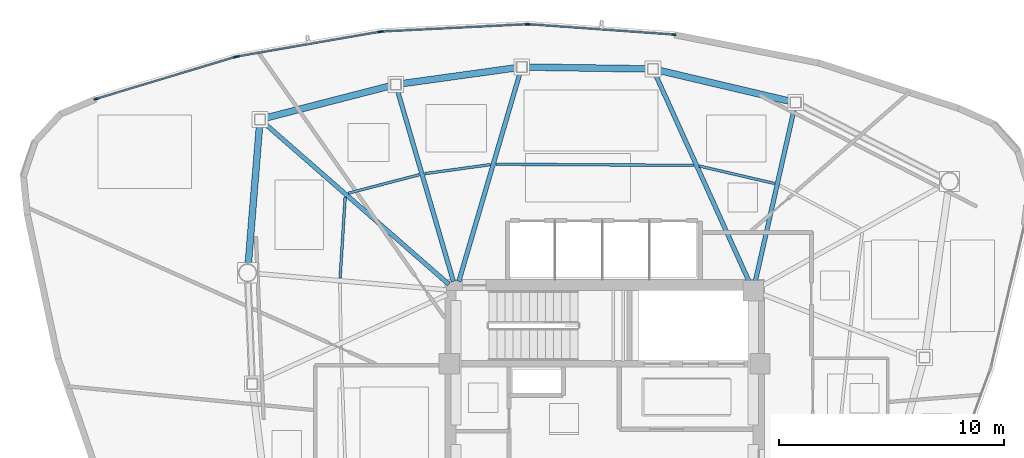
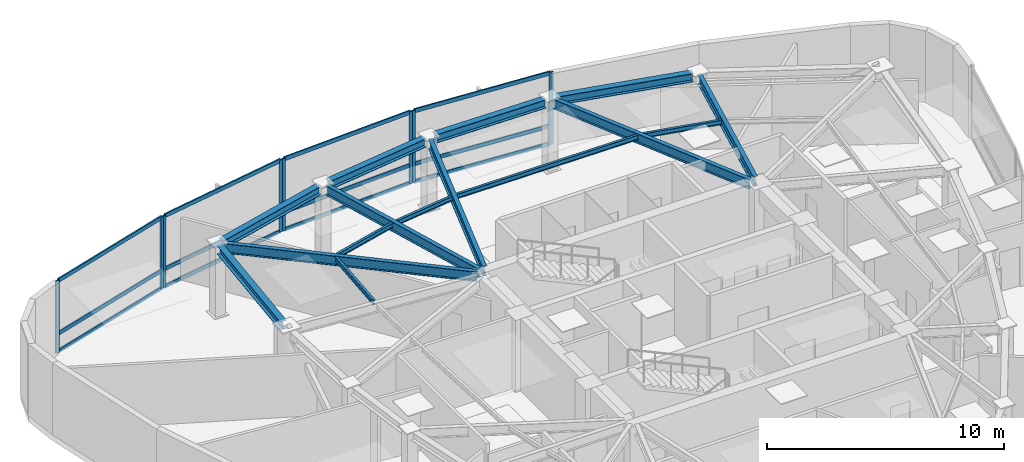
# One storey, part 5 of 12: 20 members, 15 beams, 4 elements without a shape of their own.
"""IFC4 building model written with IfcOpenShell, lengths in metres."""

from ifc_helpers import new_model, si_unit, direction, frame, origin, origin_2d, place, context, subcontext, project, spatial, hollow_rectangle, i_section, extrude, source, transform, mapped, material, layer, layer_set, material_profile, profile_set, type_object, type_shapes, element, aggregate, save


model = new_model("IFC4")

# Units and contexts
model_context = context("Model", 3, precision=1e-05, world=origin(), true_north=direction((0.0, 1.0)))
body_context = subcontext(model_context, "Body", "Model", "MODEL_VIEW")
ifc_project = project(units=[si_unit("LENGTHUNIT", "METRE"), si_unit("AREAUNIT", "SQUARE_METRE"), si_unit("VOLUMEUNIT", "CUBIC_METRE"), si_unit("PLANEANGLEUNIT", "RADIAN"), si_unit("MASSUNIT", "GRAM", prefix="KILO")], contexts=[model_context])

# Site, building, storey
site_placement = place(None, origin())
site = spatial("IfcSite", under=ifc_project, at=site_placement, CompositionType="ELEMENT")
building_placement = place(site_placement, origin())
building = spatial("IfcBuilding", under=site, at=building_placement, Name="Tavelor Broadcast Tower", CompositionType="ELEMENT")
storey_placement = place(building_placement, frame((0.0, 0.0, 293.5)))
storey = spatial("IfcBuildingStorey", under=building, at=storey_placement, Name="L70", CompositionType="ELEMENT", Elevation=293.5)

# Beams
ifc_material_1 = material(Name="Steel S355", Category="steel")
ifc_material_profile_1 = material_profile(ifc_material_1, i_section(OverallWidth=0.1201171875, OverallDepth=0.239990234375, WebThickness=0.006103515625, FlangeThickness=0.009765625, at=origin_2d()), Name="IPE 240")
ifc_profile_set_1 = profile_set([ifc_material_profile_1], Name="Steel S355")
beam_type_1 = type_object("IfcBeamType", Name="Composite Floor Joist T7 IPE 240", PredefinedType="JOIST", material=ifc_profile_set_1)
beam_1_placement = place(storey_placement, frame((57.54248046875, 55.96337890625, 3.580078125), z_axis=(-0.974044982297, 0.226354528257, 0.0), x_axis=(-0.226354528257, -0.974044982297, 0.0)))
element("IfcBeam", 1, at=beam_1_placement, inside=storey, type_object=beam_type_1, Name="L70 Secondary Composite Floor Joist 14", PredefinedType="JOIST", context=body_context, shape_type="SweptSolid", body=[
    extrude(i_section(OverallWidth=0.1201171875, OverallDepth=0.239990234375, WebThickness=0.006103515625, FlangeThickness=0.009765625, at=origin_2d()), origin(), (0.0, 0.0, 1.0), 3.42236328125),
])
beam_2_placement = place(storey_placement, frame((53.954345703125, 56.76806640625, 3.580078125), z_axis=(-0.999984057593, 0.005646641549, 0.0), x_axis=(-0.005646641549, -0.999984057593, 0.0)))
element("IfcBeam", 2, at=beam_2_placement, inside=storey, type_object=beam_type_1, Name="L70 Secondary Composite Floor Joist 15", PredefinedType="JOIST", context=body_context, shape_type="SweptSolid", body=[
    extrude(i_section(OverallWidth=0.1201171875, OverallDepth=0.239990234375, WebThickness=0.006103515625, FlangeThickness=0.009765625, at=origin_2d()), origin(), (0.0, 0.0, 1.0), 8.777099609375),
])
beam_3_placement = place(storey_placement, frame((44.920654296875, 56.80078125, 3.580078125), z_axis=(-0.990691592416, -0.136125562317, 0.0), x_axis=(0.136125562317, -0.990691592416, 0.0)))
element("IfcBeam", 3, at=beam_3_placement, inside=storey, type_object=beam_type_1, Name="L70 Secondary Composite Floor Joist 16", PredefinedType="JOIST", context=body_context, shape_type="SweptSolid", body=[
    extrude(i_section(OverallWidth=0.1201171875, OverallDepth=0.239990234375, WebThickness=0.006103515625, FlangeThickness=0.009765625, at=origin_2d()), origin(), (0.0, 0.0, 1.0), 2.937744140625),
])
beam_4_placement = place(storey_placement, frame((41.757568359375, 56.35107421875, 3.580078125), z_axis=(-0.967742888196, -0.251939878435, 0.0), x_axis=(0.251939878435, -0.967742888196, 0.0)))
element("IfcBeam", 4, at=beam_4_placement, inside=storey, type_object=beam_type_1, Name="L70 Secondary Composite Floor Joist 17", PredefinedType="JOIST", context=body_context, shape_type="SweptSolid", body=[
    extrude(i_section(OverallWidth=0.1201171875, OverallDepth=0.239990234375, WebThickness=0.006103515625, FlangeThickness=0.009765625, at=origin_2d()), origin(), (0.0, 0.0, 1.0), 3.2578125),
])
beam_5_placement = place(storey_placement, frame((38.471923828125, 55.368896484375, 3.580078125), z_axis=(-0.062188497897, -0.998064422134, 0.0), x_axis=(0.998064422134, -0.062188497897, 0.0)))
element("IfcBeam", 5, at=beam_5_placement, inside=storey, type_object=beam_type_1, Name="L70 Secondary Composite Floor Joist 18", PredefinedType="JOIST", context=body_context, shape_type="SweptSolid", body=[
    extrude(i_section(OverallWidth=0.1201171875, OverallDepth=0.239990234375, WebThickness=0.006103515625, FlangeThickness=0.009765625, at=origin_2d()), origin(), (0.0, 0.0, 1.0), 3.60400390625),
])
ifc_material_profile_2 = material_profile(ifc_material_1, i_section(OverallWidth=0.300048828125, OverallDepth=0.43994140625, WebThickness=0.011474609375, FlangeThickness=0.02099609375, at=origin_2d()), Name="HEA 450")
ifc_profile_set_2 = profile_set([ifc_material_profile_2], Name="Steel S355")
beam_type_2 = type_object("IfcBeamType", Name="Perimeter Spandrel Beam T7 HEA 450", PredefinedType="SPANDREL", material=ifc_profile_set_2)
beam_6_placement = place(storey_placement, frame((58.251953125, 59.6123046875, 3.47998046875), z_axis=(-0.973341210947, 0.229361912863, 0.0), x_axis=(-0.229361912863, -0.973341210947, 0.0)))
element("IfcBeam", 6, at=beam_6_placement, inside=storey, type_object=beam_type_2, Name="L70 Framed-Tube Ring Spandrel 14", PredefinedType="SPANDREL", context=body_context, shape_type="SweptSolid", body=[
    extrude(i_section(OverallWidth=0.300048828125, OverallDepth=0.43994140625, WebThickness=0.011474609375, FlangeThickness=0.02099609375, at=origin_2d()), origin(), (0.0, 0.0, 1.0), 6.0322265625),
])
beam_7_placement = place(storey_placement, frame((51.906982421875, 61.054443359375, 3.47998046875), z_axis=(-0.999890103457, 0.014825012939, 0.0), x_axis=(-0.014825012939, -0.999890103457, 0.0)))
element("IfcBeam", 7, at=beam_7_placement, inside=storey, type_object=beam_type_2, Name="L70 Framed-Tube Ring Spandrel 15", PredefinedType="SPANDREL", context=body_context, shape_type="SweptSolid", body=[
    extrude(i_section(OverallWidth=0.300048828125, OverallDepth=0.43994140625, WebThickness=0.011474609375, FlangeThickness=0.02099609375, at=origin_2d()), origin(), (0.0, 0.0, 1.0), 5.35205078125),
])
beam_8_placement = place(storey_placement, frame((46.077880859375, 61.104248046875, 3.47998046875), z_axis=(-0.99051816585, -0.137381815101, 0.0), x_axis=(0.137381815101, -0.99051816585, 0.0)))
element("IfcBeam", 8, at=beam_8_placement, inside=storey, type_object=beam_type_2, Name="L70 Framed-Tube Ring Spandrel 16", PredefinedType="SPANDREL", context=body_context, shape_type="SweptSolid", body=[
    extrude(i_section(OverallWidth=0.300048828125, OverallDepth=0.43994140625, WebThickness=0.011474609375, FlangeThickness=0.02099609375, at=origin_2d()), origin(), (0.0, 0.0, 1.0), 5.17138671875),
])
beam_9_placement = place(storey_placement, frame((40.485595703125, 60.301025390625, 3.47998046875), z_axis=(-0.968436978706, -0.249258537014, 0.0), x_axis=(0.249258537014, -0.968436978706, 0.0)))
element("IfcBeam", 9, at=beam_9_placement, inside=storey, type_object=beam_type_2, Name="L70 Framed-Tube Ring Spandrel 17", PredefinedType="SPANDREL", context=body_context, shape_type="SweptSolid", body=[
    extrude(i_section(OverallWidth=0.300048828125, OverallDepth=0.43994140625, WebThickness=0.011474609375, FlangeThickness=0.02099609375, at=origin_2d()), origin(), (0.0, 0.0, 1.0), 5.74560546875),
])
beam_10_placement = place(storey_placement, frame((34.669677734375, 58.56982421875, 3.47998046875), z_axis=(-0.081085240328, -0.996707170538, 0.0), x_axis=(0.996707170538, -0.081085240328, 0.0)))
element("IfcBeam", 10, at=beam_10_placement, inside=storey, type_object=beam_type_2, Name="L70 Framed-Tube Ring Spandrel 18", PredefinedType="SPANDREL", context=body_context, shape_type="SweptSolid", body=[
    extrude(i_section(OverallWidth=0.300048828125, OverallDepth=0.43994140625, WebThickness=0.011474609375, FlangeThickness=0.02099609375, at=origin_2d()), origin(), (0.0, 0.0, 1.0), 6.20556640625),
])
ifc_material_profile_3 = material_profile(ifc_material_1, i_section(OverallWidth=0.199951171875, OverallDepth=0.5, WebThickness=0.01025390625, FlangeThickness=0.01611328125, at=origin_2d()), Name="IPE 500")
ifc_profile_set_3 = profile_set([ifc_material_profile_3], Name="Steel S355")
beam_type_3 = type_object("IfcBeamType", Name="Radial Floor Girder T7 IPE 500", PredefinedType="BEAM", material=ifc_profile_set_3)
beam_11_placement = place(storey_placement, frame((56.695068359375, 51.621337890625, 3.449951171875), z_axis=(0.22010521598, 0.975476137021, 0.0), x_axis=(-0.975476137021, 0.22010521598, 0.0)))
element("IfcBeam", 11, at=beam_11_placement, inside=storey, type_object=beam_type_3, Name="L70 Radial Primary Floor Girder 14", PredefinedType="BEAM", context=body_context, shape_type="SweptSolid", body=[
    extrude(i_section(OverallWidth=0.199951171875, OverallDepth=0.5, WebThickness=0.01025390625, FlangeThickness=0.01611328125, at=origin_2d()), origin(), (0.0, 0.0, 1.0), 7.895263671875),
])
beam_12_placement = place(storey_placement, frame((56.422119140625, 51.59375, 3.449951171875), z_axis=(-0.411897039455, 0.911230392869, 0.0), x_axis=(-0.911230392869, -0.411897039455, 0.0)))
element("IfcBeam", 12, at=beam_12_placement, inside=storey, type_object=beam_type_3, Name="L70 Radial Primary Floor Girder 15", PredefinedType="BEAM", context=body_context, shape_type="SweptSolid", body=[
    extrude(i_section(OverallWidth=0.199951171875, OverallDepth=0.5, WebThickness=0.01025390625, FlangeThickness=0.01611328125, at=origin_2d()), origin(), (0.0, 0.0, 1.0), 10.138427734375),
])
beam_13_placement = place(storey_placement, frame((43.521484375, 51.614501953125, 3.449951171875), z_axis=(0.281523398042, 0.959554363418, 0.0), x_axis=(-0.959554363418, 0.281523398042, 0.0)))
element("IfcBeam", 13, at=beam_13_placement, inside=storey, type_object=beam_type_3, Name="L70 Radial Primary Floor Girder 16", PredefinedType="BEAM", context=body_context, shape_type="SweptSolid", body=[
    extrude(i_section(OverallWidth=0.199951171875, OverallDepth=0.5, WebThickness=0.01025390625, FlangeThickness=0.01611328125, at=origin_2d()), origin(), (0.0, 0.0, 1.0), 9.68408203125),
])
beam_14_placement = place(storey_placement, frame((43.278564453125, 51.614501953125, 3.449951171875), z_axis=(-0.280965508075, 0.959717866496, 0.0), x_axis=(-0.959717866496, -0.280965508075, 0.0)))
element("IfcBeam", 14, at=beam_14_placement, inside=storey, type_object=beam_type_3, Name="L70 Radial Primary Floor Girder 17", PredefinedType="BEAM", context=body_context, shape_type="SweptSolid", body=[
    extrude(i_section(OverallWidth=0.199951171875, OverallDepth=0.5, WebThickness=0.01025390625, FlangeThickness=0.01611328125, at=origin_2d()), origin(), (0.0, 0.0, 1.0), 8.87353515625),
])
beam_15_placement = place(storey_placement, frame((43.07470703125, 51.484130859375, 3.449951171875), z_axis=(-0.753133106232, 0.657868166351, 0.0), x_axis=(-0.657868166351, -0.753133106232, 0.0)))
element("IfcBeam", 15, at=beam_15_placement, inside=storey, type_object=beam_type_3, Name="L70 Radial Primary Floor Girder 18", PredefinedType="BEAM", context=body_context, shape_type="SweptSolid", body=[
    extrude(i_section(OverallWidth=0.199951171875, OverallDepth=0.5, WebThickness=0.01025390625, FlangeThickness=0.01611328125, at=origin_2d()), origin(), (0.0, 0.0, 1.0), 10.894287109375),
])

# Curtain wall, members
ifc_material_2 = material(Name="Architectural Anodized Aluminium", Category="aluminium")
ifc_layer = layer(ifc_material_2, 0.199951171875)
ifc_layer_set = layer_set([ifc_layer], Name="Architectural Anodized Aluminium")
curtain_wall_type = type_object("IfcCurtainWallType", Name="Tower High-Zone Triple-Glazed Curtain Wall CW04", PredefinedType="NOTDEFINED", material=ifc_layer_set)
curtain_wall_1_placement = place(storey_placement, origin())
curtain_wall_1 = element("IfcCurtainWall", 16, at=curtain_wall_1_placement, inside=storey, type_object=curtain_wall_type, Name="L70 Curtain Wall CW04 Run 777", PredefinedType="NOTDEFINED")
ifc_material_profile_4 = material_profile(ifc_material_2, hollow_rectangle(XDim=0.070068359375, YDim=0.199951171875, WallThickness=0.02197265625, at=origin_2d()), Name="RHS 70x200x22")
ifc_profile_set_4 = profile_set([ifc_material_profile_4], Name="Architectural Anodized Aluminium")
member_type_1 = type_object("IfcMemberType", Name="CW04 Extruded Aluminium Mullion 70x200", PredefinedType="MULLION", material=ifc_profile_set_4)
shared_shape_1 = source(origin(), body_context, "Body", "SweptSolid", [
    extrude(hollow_rectangle(XDim=0.070068359375, YDim=0.199951171875, WallThickness=0.02197265625, at=origin_2d()), origin(), (0.0, 0.0, 1.0), 3.699951171875),
])
type_shapes(member_type_1, [shared_shape_1])
member_1_placement = place(storey_placement, frame((53.068603515625, 62.57421875, 0.0), z_axis=(0.0, 0.0, 1.0), x_axis=(-0.071069279641, -0.997471381791, 0.0)))
member_1 = element("IfcMember", 17, at=member_1_placement, type_object=member_type_1, Name="CW04 mullion 1", PredefinedType="MULLION", context=body_context, shape_type="MappedRepresentation", body=[
    mapped(shared_shape_1, transform((0.0, 0.0, 0.0), scale=1.0)),
])
member_2_placement = place(storey_placement, frame((46.638671875, 63.0322265625, 0.0), z_axis=(0.0, 0.0, 1.0), x_axis=(-0.071069279641, -0.997471381791, 0.0)))
member_2 = element("IfcMember", 18, at=member_2_placement, type_object=member_type_1, Name="CW04 mullion 2", PredefinedType="MULLION", context=body_context, shape_type="MappedRepresentation", body=[
    mapped(shared_shape_1, transform((0.0, 0.0, 0.0), scale=1.0)),
])

curtain_wall_2_placement = place(storey_placement, origin())
curtain_wall_2 = element("IfcCurtainWall", 19, at=curtain_wall_2_placement, inside=storey, type_object=curtain_wall_type, Name="L70 Curtain Wall CW04 Run 778", PredefinedType="NOTDEFINED")
member_3_placement = place(storey_placement, frame((46.5390625, 63.033447265625, 0.0), z_axis=(0.0, 0.0, 1.0), x_axis=(0.050160866409, -0.998741151391, 0.0)))
member_3 = element("IfcMember", 20, at=member_3_placement, type_object=member_type_1, Name="CW04 mullion 1", PredefinedType="MULLION", context=body_context, shape_type="MappedRepresentation", body=[
    mapped(shared_shape_1, transform((0.0, 0.0, 0.0), scale=1.0)),
])
member_4_placement = place(storey_placement, frame((40.115966796875, 62.710693359375, 0.0), z_axis=(0.0, 0.0, 1.0), x_axis=(0.050160866409, -0.998741151391, 0.0)))
member_4 = element("IfcMember", 21, at=member_4_placement, type_object=member_type_1, Name="CW04 mullion 2", PredefinedType="MULLION", context=body_context, shape_type="MappedRepresentation", body=[
    mapped(shared_shape_1, transform((0.0, 0.0, 0.0), scale=1.0)),
])

curtain_wall_3_placement = place(storey_placement, origin())
curtain_wall_3 = element("IfcCurtainWall", 22, at=curtain_wall_3_placement, inside=storey, type_object=curtain_wall_type, Name="L70 Curtain Wall CW04 Run 779", PredefinedType="NOTDEFINED")
member_5_placement = place(storey_placement, frame((40.0166015625, 62.69970703125, 0.0), z_axis=(0.0, 0.0, 1.0), x_axis=(0.170634200855, -0.985334445505, 0.0)))
member_5 = element("IfcMember", 23, at=member_5_placement, type_object=member_type_1, Name="CW04 mullion 1", PredefinedType="MULLION", context=body_context, shape_type="MappedRepresentation", body=[
    mapped(shared_shape_1, transform((0.0, 0.0, 0.0), scale=1.0)),
])
member_6_placement = place(storey_placement, frame((33.679931640625, 61.602294921875, 0.0), z_axis=(0.0, 0.0, 1.0), x_axis=(0.170634200855, -0.985334445505, 0.0)))
member_6 = element("IfcMember", 24, at=member_6_placement, type_object=member_type_1, Name="CW04 mullion 2", PredefinedType="MULLION", context=body_context, shape_type="MappedRepresentation", body=[
    mapped(shared_shape_1, transform((0.0, 0.0, 0.0), scale=1.0)),
])

curtain_wall_4_placement = place(storey_placement, origin())
curtain_wall_4 = element("IfcCurtainWall", 25, at=curtain_wall_4_placement, inside=storey, type_object=curtain_wall_type, Name="L70 Curtain Wall CW04 Run 780", PredefinedType="NOTDEFINED")
member_7_placement = place(storey_placement, frame((33.5830078125, 61.579345703125, 0.0), z_axis=(0.0, 0.0, 1.0), x_axis=(0.288651154821, -0.957434337603, 0.0)))
member_7 = element("IfcMember", 26, at=member_7_placement, type_object=member_type_1, Name="CW04 mullion 1", PredefinedType="MULLION", context=body_context, shape_type="MappedRepresentation", body=[
    mapped(shared_shape_1, transform((0.0, 0.0, 0.0), scale=1.0)),
])
member_8_placement = place(storey_placement, frame((27.41015625, 59.71826171875, 0.0), z_axis=(0.0, 0.0, 1.0), x_axis=(0.288651154821, -0.957434337603, 0.0)))
member_8 = element("IfcMember", 27, at=member_8_placement, type_object=member_type_1, Name="CW04 mullion 2", PredefinedType="MULLION", context=body_context, shape_type="MappedRepresentation", body=[
    mapped(shared_shape_1, transform((0.0, 0.0, 0.0), scale=1.0)),
])

# Member
ifc_material_profile_5 = material_profile(ifc_material_2, hollow_rectangle(XDim=0.070068359375, YDim=0.199951171875, WallThickness=0.02197265625, at=origin_2d()), Name="RHS 70x200x22")
ifc_profile_set_5 = profile_set([ifc_material_profile_5], Name="Architectural Anodized Aluminium")
member_type_2 = type_object("IfcMemberType", Name="CW04 Extruded Aluminium Transom 70x200", PredefinedType="USERDEFINED", material=ifc_profile_set_5)
shared_shape_2 = source(origin(), body_context, "Body", "SweptSolid", [
    extrude(hollow_rectangle(XDim=0.070068359375, YDim=0.199951171875, WallThickness=0.02197265625, at=origin_2d()), origin(), (0.0, 0.0, 1.0), 6.361083984375),
])
member_9_placement = place(storey_placement, frame((46.50390625, 63.031494140625, 0.034912109375), z_axis=(-0.998741019281, -0.050163496741, 0.0), x_axis=(0.050163496741, -0.998741019281, 0.0)))
member_9 = element("IfcMember", 28, at=member_9_placement, type_object=member_type_2, Name="CW04 transom 1.1", ObjectType="TRANSOM", PredefinedType="USERDEFINED", context=body_context, shape_type="MappedRepresentation", body=[
    mapped(shared_shape_2, transform((0.0, 0.0, 0.0), scale=1.0)),
])

member_10_placement = place(storey_placement, frame((46.50390625, 63.031494140625, 0.949951171875), z_axis=(-0.998741019281, -0.050163496741, 0.0), x_axis=(0.050163496741, -0.998741019281, 0.0)))
member_10 = element("IfcMember", 29, at=member_10_placement, type_object=member_type_2, Name="CW04 transom 1.2", ObjectType="TRANSOM", PredefinedType="USERDEFINED", context=body_context, shape_type="MappedRepresentation", body=[
    mapped(shared_shape_2, transform((0.0, 0.0, 0.0), scale=1.0)),
])

member_11_placement = place(storey_placement, frame((46.50390625, 63.031494140625, 3.6650390625), z_axis=(-0.998741019281, -0.050163496741, 0.0), x_axis=(0.050163496741, -0.998741019281, 0.0)))
member_11 = element("IfcMember", 30, at=member_11_placement, type_object=member_type_2, Name="CW04 transom 1.3", ObjectType="TRANSOM", PredefinedType="USERDEFINED", context=body_context, shape_type="MappedRepresentation", body=[
    mapped(shared_shape_2, transform((0.0, 0.0, 0.0), scale=1.0)),
])

aggregate(curtain_wall_2, [member_3, member_4, member_9, member_10, member_11])

member_12_placement = place(storey_placement, frame((39.982177734375, 62.693603515625, 0.034912109375), z_axis=(-0.98533375716, -0.170638175684, 0.0), x_axis=(0.170638175684, -0.98533375716, 0.0)))
member_12 = element("IfcMember", 31, at=member_12_placement, type_object=member_type_2, Name="CW04 transom 1.1", ObjectType="TRANSOM", PredefinedType="USERDEFINED", context=body_context, shape_type="MappedRepresentation", body=[
    mapped(shared_shape_2, transform((0.0, 0.0, 0.0), scale=1.0)),
])

member_13_placement = place(storey_placement, frame((39.982177734375, 62.693603515625, 0.949951171875), z_axis=(-0.98533375716, -0.170638175684, 0.0), x_axis=(0.170638175684, -0.98533375716, 0.0)))
member_13 = element("IfcMember", 32, at=member_13_placement, type_object=member_type_2, Name="CW04 transom 1.2", ObjectType="TRANSOM", PredefinedType="USERDEFINED", context=body_context, shape_type="MappedRepresentation", body=[
    mapped(shared_shape_2, transform((0.0, 0.0, 0.0), scale=1.0)),
])

member_14_placement = place(storey_placement, frame((39.982177734375, 62.693603515625, 3.6650390625), z_axis=(-0.98533375716, -0.170638175684, 0.0), x_axis=(0.170638175684, -0.98533375716, 0.0)))
member_14 = element("IfcMember", 33, at=member_14_placement, type_object=member_type_2, Name="CW04 transom 1.3", ObjectType="TRANSOM", PredefinedType="USERDEFINED", context=body_context, shape_type="MappedRepresentation", body=[
    mapped(shared_shape_2, transform((0.0, 0.0, 0.0), scale=1.0)),
])

aggregate(curtain_wall_3, [member_5, member_6, member_12, member_13, member_14])

shared_shape_3 = source(origin(), body_context, "Body", "SweptSolid", [
    extrude(hollow_rectangle(XDim=0.070068359375, YDim=0.199951171875, WallThickness=0.02197265625, at=origin_2d()), origin(), (0.0, 0.0, 1.0), 6.377197265625),
])
member_15_placement = place(storey_placement, frame((33.54931640625, 61.569091796875, 0.034912109375), z_axis=(-0.957442948544, -0.28862259143, 0.0), x_axis=(0.28862259143, -0.957442948544, 0.0)))
member_15 = element("IfcMember", 34, at=member_15_placement, type_object=member_type_2, Name="CW04 transom 1.1", ObjectType="TRANSOM", PredefinedType="USERDEFINED", context=body_context, shape_type="MappedRepresentation", body=[
    mapped(shared_shape_3, transform((0.0, 0.0, 0.0), scale=1.0)),
])

member_16_placement = place(storey_placement, frame((33.54931640625, 61.569091796875, 0.949951171875), z_axis=(-0.957442948544, -0.28862259143, 0.0), x_axis=(0.28862259143, -0.957442948544, 0.0)))
member_16 = element("IfcMember", 35, at=member_16_placement, type_object=member_type_2, Name="CW04 transom 1.2", ObjectType="TRANSOM", PredefinedType="USERDEFINED", context=body_context, shape_type="MappedRepresentation", body=[
    mapped(shared_shape_3, transform((0.0, 0.0, 0.0), scale=1.0)),
])

member_17_placement = place(storey_placement, frame((33.54931640625, 61.569091796875, 3.6650390625), z_axis=(-0.957442948544, -0.28862259143, 0.0), x_axis=(0.28862259143, -0.957442948544, 0.0)))
member_17 = element("IfcMember", 36, at=member_17_placement, type_object=member_type_2, Name="CW04 transom 1.3", ObjectType="TRANSOM", PredefinedType="USERDEFINED", context=body_context, shape_type="MappedRepresentation", body=[
    mapped(shared_shape_3, transform((0.0, 0.0, 0.0), scale=1.0)),
])

aggregate(curtain_wall_4, [member_7, member_8, member_15, member_16, member_17])

shared_shape_4 = source(origin(), body_context, "Body", "SweptSolid", [
    extrude(hollow_rectangle(XDim=0.070068359375, YDim=0.199951171875, WallThickness=0.02197265625, at=origin_2d()), origin(), (0.0, 0.0, 1.0), 6.376220703125),
])
type_shapes(member_type_2, [shared_shape_2, shared_shape_3, shared_shape_4])
member_18_placement = place(storey_placement, frame((53.03369140625, 62.57666015625, 0.034912109375), z_axis=(-0.997471705382, 0.071064737829, 0.0), x_axis=(-0.071064737829, -0.997471705382, 0.0)))
member_18 = element("IfcMember", 37, at=member_18_placement, type_object=member_type_2, Name="CW04 transom 1.1", ObjectType="TRANSOM", PredefinedType="USERDEFINED", context=body_context, shape_type="MappedRepresentation", body=[
    mapped(shared_shape_4, transform((0.0, 0.0, 0.0), scale=1.0)),
])

member_19_placement = place(storey_placement, frame((53.03369140625, 62.57666015625, 0.949951171875), z_axis=(-0.997471705382, 0.071064737829, 0.0), x_axis=(-0.071064737829, -0.997471705382, 0.0)))
member_19 = element("IfcMember", 38, at=member_19_placement, type_object=member_type_2, Name="CW04 transom 1.2", ObjectType="TRANSOM", PredefinedType="USERDEFINED", context=body_context, shape_type="MappedRepresentation", body=[
    mapped(shared_shape_4, transform((0.0, 0.0, 0.0), scale=1.0)),
])

member_20_placement = place(storey_placement, frame((53.03369140625, 62.57666015625, 3.6650390625), z_axis=(-0.997471705382, 0.071064737829, 0.0), x_axis=(-0.071064737829, -0.997471705382, 0.0)))
member_20 = element("IfcMember", 39, at=member_20_placement, type_object=member_type_2, Name="CW04 transom 1.3", ObjectType="TRANSOM", PredefinedType="USERDEFINED", context=body_context, shape_type="MappedRepresentation", body=[
    mapped(shared_shape_4, transform((0.0, 0.0, 0.0), scale=1.0)),
])

aggregate(curtain_wall_1, [member_1, member_2, member_18, member_19, member_20])

save(model, "model.ifc")
